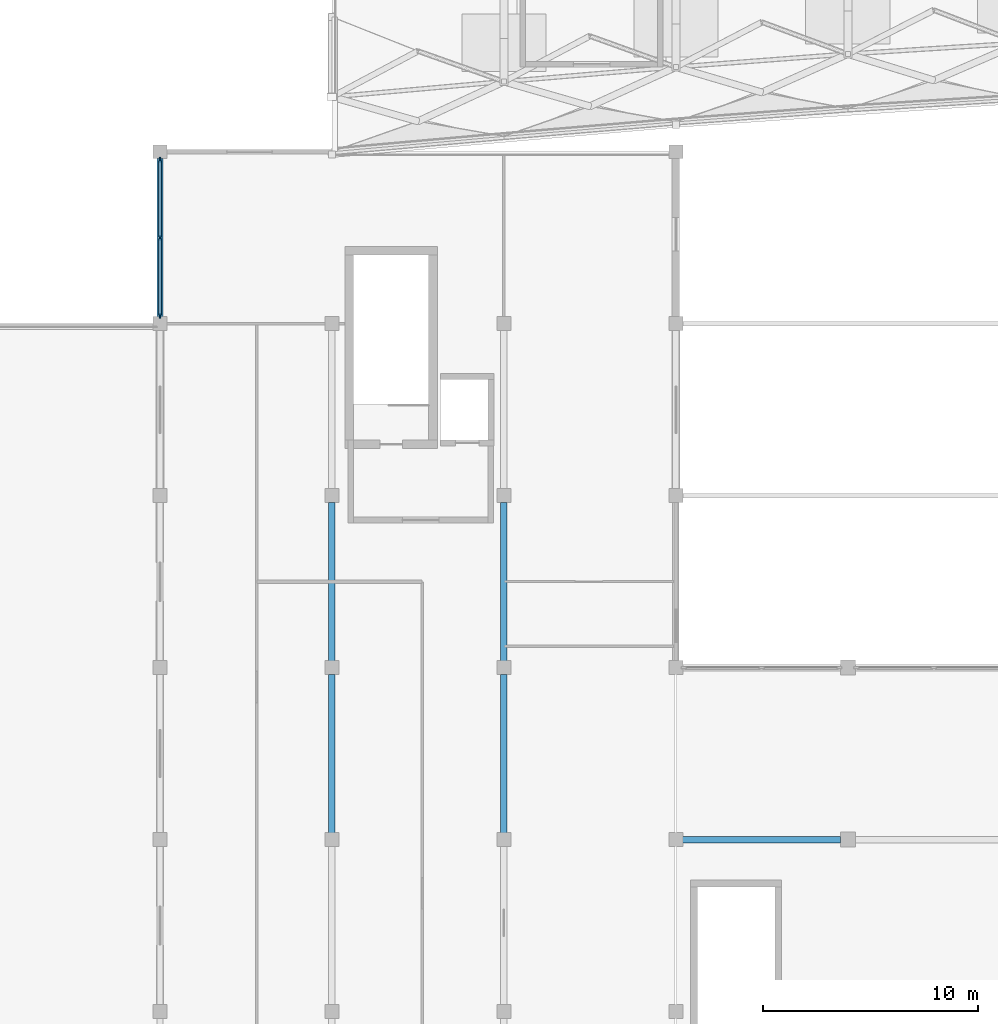
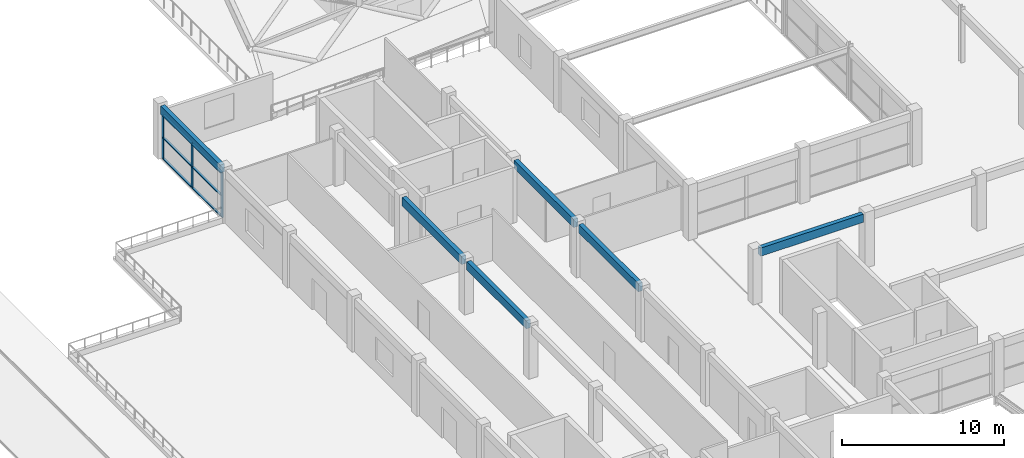
# One storey, part 8 of 67: 9 members, 6 beams, 1 element without a shape of its own.
"""IFC4 building model written with IfcOpenShell, lengths in metres."""

from ifc_helpers import new_model, si_unit, direction, frame, origin, origin_2d, place, context, subcontext, project, spatial, rectangle, extrude, material, material_profile, profile_set, type_object, element, aggregate, save


model = new_model("IFC4")

# Units and contexts
model_context = context("Model", 3, precision=1e-05, world=origin(), true_north=direction((0.0, 1.0)))
body_context = subcontext(model_context, "Body", "Model", "MODEL_VIEW")
ifc_project = project(units=[si_unit("LENGTHUNIT", "METRE"), si_unit("AREAUNIT", "SQUARE_METRE"), si_unit("VOLUMEUNIT", "CUBIC_METRE"), si_unit("PLANEANGLEUNIT", "RADIAN"), si_unit("MASSUNIT", "GRAM", prefix="KILO")], contexts=[model_context])

# Site, building, storey
site_placement = place(None, origin())
site = spatial("IfcSite", under=ifc_project, at=site_placement, CompositionType="ELEMENT")
building_placement = place(site_placement, origin())
building = spatial("IfcBuilding", under=site, at=building_placement, Name="Kenh Van Central Station", CompositionType="ELEMENT")
storey_placement = place(building_placement, frame((0.0, 0.0, 10.800048828125)))
storey = spatial("IfcBuildingStorey", under=building, at=storey_placement, Name="L02", CompositionType="ELEMENT", Elevation=10.800048828125)

# Curtain wall, members
ifc_material_1 = material(Name="Champagne anodised aluminium", Category="aluminium")
curtain_wall_type = type_object("IfcCurtainWallType", Name="CW-RETL-B", PredefinedType="NOTDEFINED", material=ifc_material_1)
curtain_wall_placement = place(storey_placement, origin())
curtain_wall = element("IfcCurtainWall", 1, at=curtain_wall_placement, inside=storey, type_object=curtain_wall_type, Name="L02 curtain wall 181", PredefinedType="NOTDEFINED")
ifc_material_profile_1 = material_profile(ifc_material_1, rectangle(XDim=0.0849609375, YDim=0.23193359375, at=origin_2d()), Name="AL 85x232")
ifc_profile_set_1 = profile_set([ifc_material_profile_1], Name="Champagne anodised aluminium")
member_type_1 = type_object("IfcMemberType", Name="CWM-65x160", PredefinedType="MULLION", material=ifc_profile_set_1)
member_1_placement = place(storey_placement, frame((24.0, 63.632568359375, 0.0), z_axis=(0.0, 0.0, 1.0), x_axis=(1.0, 0.0, 0.0)))
member_1 = element("IfcMember", 2, at=member_1_placement, type_object=member_type_1, Name="CW-06 mullion 1", PredefinedType="MULLION", context=body_context, shape_type="SweptSolid", body=[
    extrude(rectangle(XDim=0.0849609375, YDim=0.23193359375, at=origin_2d()), origin(), (0.0, 0.0, 1.0), 3.35986328125),
])
member_2_placement = place(storey_placement, frame((24.0, 60.0, 0.0), z_axis=(0.0, 0.0, 1.0), x_axis=(1.0, 0.0, 0.0)))
member_2 = element("IfcMember", 3, at=member_2_placement, type_object=member_type_1, Name="CW-06 mullion 2", PredefinedType="MULLION", context=body_context, shape_type="SweptSolid", body=[
    extrude(rectangle(XDim=0.0849609375, YDim=0.23193359375, at=origin_2d()), origin(), (0.0, 0.0, 1.0), 3.35986328125),
])
member_3_placement = place(storey_placement, frame((24.0, 56.367431640625, 0.0), z_axis=(0.0, 0.0, 1.0), x_axis=(1.0, 0.0, 0.0)))
member_3 = element("IfcMember", 4, at=member_3_placement, type_object=member_type_1, Name="CW-06 mullion 3", PredefinedType="MULLION", context=body_context, shape_type="SweptSolid", body=[
    extrude(rectangle(XDim=0.0849609375, YDim=0.23193359375, at=origin_2d()), origin(), (0.0, 0.0, 1.0), 3.35986328125),
])
ifc_material_profile_2 = material_profile(ifc_material_1, rectangle(XDim=0.155029296875, YDim=0.072021484375, at=origin_2d()), Name="AL 155x72")
ifc_profile_set_2 = profile_set([ifc_material_profile_2], Name="Champagne anodised aluminium")
member_type_2 = type_object("IfcMemberType", Name="CWT-120x60", PredefinedType="USERDEFINED", material=ifc_profile_set_2)
member_4_placement = place(storey_placement, frame((24.0, 63.590087890625, 0.035888671875), z_axis=(0.0, -1.0, 0.0), x_axis=(1.0, 0.0, 0.0)))
member_4 = element("IfcMember", 5, at=member_4_placement, type_object=member_type_2, Name="CW-06 transom 1.1", ObjectType="TRANSOM", PredefinedType="USERDEFINED", context=body_context, shape_type="SweptSolid", body=[
    extrude(rectangle(XDim=0.155029296875, YDim=0.072021484375, at=origin_2d()), origin(), (0.0, 0.0, 1.0), 3.547607421875),
])
member_5_placement = place(storey_placement, frame((24.0, 63.590087890625, 1.61279296875), z_axis=(0.0, -1.0, 0.0), x_axis=(1.0, 0.0, 0.0)))
member_5 = element("IfcMember", 6, at=member_5_placement, type_object=member_type_2, Name="CW-06 transom 1.2", ObjectType="TRANSOM", PredefinedType="USERDEFINED", context=body_context, shape_type="SweptSolid", body=[
    extrude(rectangle(XDim=0.155029296875, YDim=0.072021484375, at=origin_2d()), origin(), (0.0, 0.0, 1.0), 3.547607421875),
])
member_6_placement = place(storey_placement, frame((24.0, 63.590087890625, 3.323974609375), z_axis=(0.0, -1.0, 0.0), x_axis=(1.0, 0.0, 0.0)))
member_6 = element("IfcMember", 7, at=member_6_placement, type_object=member_type_2, Name="CW-06 transom 1.3", ObjectType="TRANSOM", PredefinedType="USERDEFINED", context=body_context, shape_type="SweptSolid", body=[
    extrude(rectangle(XDim=0.155029296875, YDim=0.072021484375, at=origin_2d()), origin(), (0.0, 0.0, 1.0), 3.547607421875),
])
member_7_placement = place(storey_placement, frame((24.0, 59.95751953125, 0.035888671875), z_axis=(0.0, -1.0, 0.0), x_axis=(1.0, 0.0, 0.0)))
member_7 = element("IfcMember", 8, at=member_7_placement, type_object=member_type_2, Name="CW-06 transom 2.1", ObjectType="TRANSOM", PredefinedType="USERDEFINED", context=body_context, shape_type="SweptSolid", body=[
    extrude(rectangle(XDim=0.155029296875, YDim=0.072021484375, at=origin_2d()), origin(), (0.0, 0.0, 1.0), 3.547607421875),
])
member_8_placement = place(storey_placement, frame((24.0, 59.95751953125, 1.61279296875), z_axis=(0.0, -1.0, 0.0), x_axis=(1.0, 0.0, 0.0)))
member_8 = element("IfcMember", 9, at=member_8_placement, type_object=member_type_2, Name="CW-06 transom 2.2", ObjectType="TRANSOM", PredefinedType="USERDEFINED", context=body_context, shape_type="SweptSolid", body=[
    extrude(rectangle(XDim=0.155029296875, YDim=0.072021484375, at=origin_2d()), origin(), (0.0, 0.0, 1.0), 3.547607421875),
])
member_9_placement = place(storey_placement, frame((24.0, 59.95751953125, 3.323974609375), z_axis=(0.0, -1.0, 0.0), x_axis=(1.0, 0.0, 0.0)))
member_9 = element("IfcMember", 10, at=member_9_placement, type_object=member_type_2, Name="CW-06 transom 2.3", ObjectType="TRANSOM", PredefinedType="USERDEFINED", context=body_context, shape_type="SweptSolid", body=[
    extrude(rectangle(XDim=0.155029296875, YDim=0.072021484375, at=origin_2d()), origin(), (0.0, 0.0, 1.0), 3.547607421875),
])
aggregate(curtain_wall, [member_1, member_2, member_3, member_4, member_5, member_6, member_7, member_8, member_9])

# Beams
ifc_material_2 = material(Name="Concrete C35/45", Category="concrete")
ifc_material_profile_3 = material_profile(ifc_material_2, rectangle(XDim=0.300048828125, YDim=0.6201171875, at=origin_2d()), Name="RC 300x620")
ifc_profile_set_3 = profile_set([ifc_material_profile_3], Name="Concrete C35/45")
beam_type = type_object("IfcBeamType", Name="SPD-RC-300x620", PredefinedType="SPANDREL", material=ifc_profile_set_3)
beam_placement = place(storey_placement, frame((48.31494140625, 32.0, 3.669921875), z_axis=(1.0, 0.0, 0.0), x_axis=(0.0, 1.0, 0.0)))
element("IfcBeam", 11, at=beam_placement, inside=storey, type_object=beam_type, Name="L02 beam 0948", PredefinedType="SPANDREL", context=body_context, shape_type="SweptSolid", body=[
    extrude(rectangle(XDim=0.300048828125, YDim=0.6201171875, at=origin_2d()), origin(), (0.0, 0.0, 1.0), 7.344970703125),
])
for number, where, z_axis, x_axis, name in (
    (12, (24.0, 56.31494140625, 3.669921875), (0.0, 1.0, 0.0), (-1.0, 0.0, 0.0), "L02 beam 1004"),
    (13, (32.0, 32.31494140625, 3.669921875), (0.0, 1.0, 0.0), (-1.0, 0.0, 0.0), "L02 beam 1008"),
    (14, (32.0, 40.31494140625, 3.669921875), (0.0, 1.0, 0.0), (-1.0, 0.0, 0.0), "L02 beam 1009"),
    (15, (40.0, 32.31494140625, 3.669921875), (0.0, 1.0, 0.0), (-1.0, 0.0, 0.0), "L02 beam 1014"),
    (16, (40.0, 40.31494140625, 3.669921875), (0.0, 1.0, 0.0), (-1.0, 0.0, 0.0), "L02 beam 1015"),
):
    element("IfcBeam", number, at=place(storey_placement, frame(where, z_axis=z_axis, x_axis=x_axis)), inside=storey, type_object=beam_type, Name=name, PredefinedType="SPANDREL", context=body_context, shape_type="SweptSolid", body=[
        extrude(rectangle(XDim=0.300048828125, YDim=0.6201171875, at=origin_2d()), origin(), (0.0, 0.0, 1.0), 7.3701171875),
    ])

save(model, "model.ifc")
